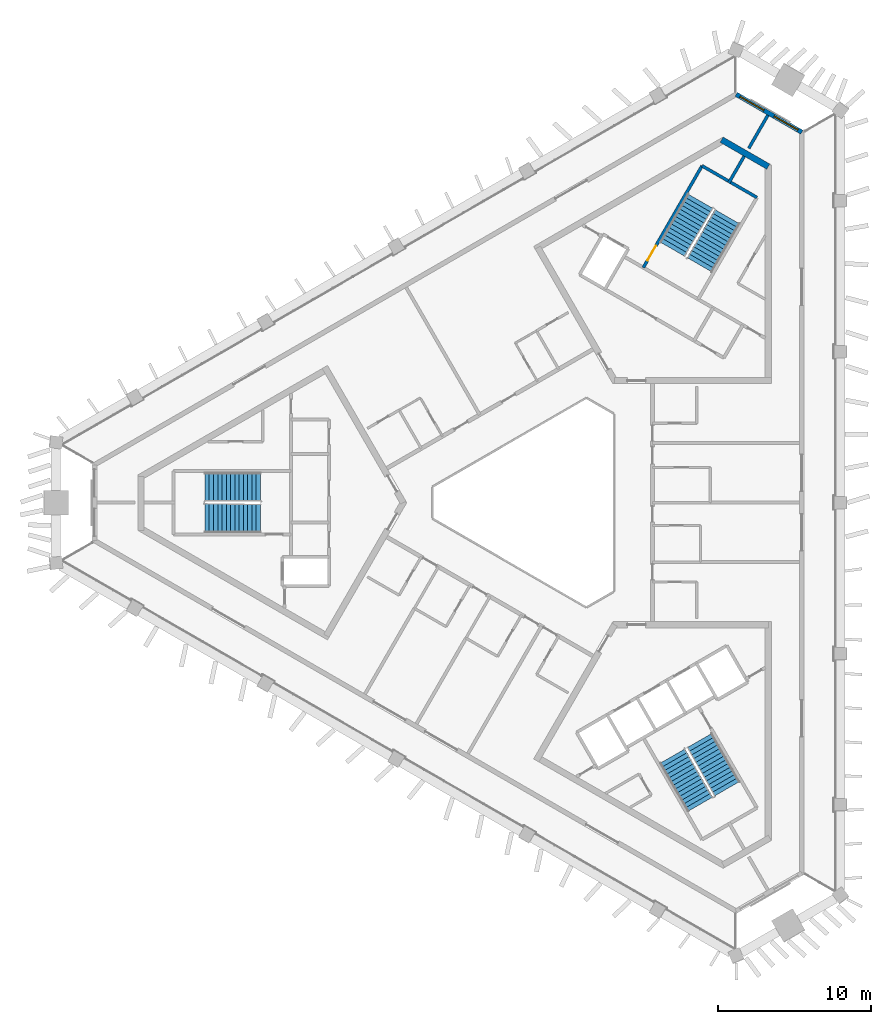
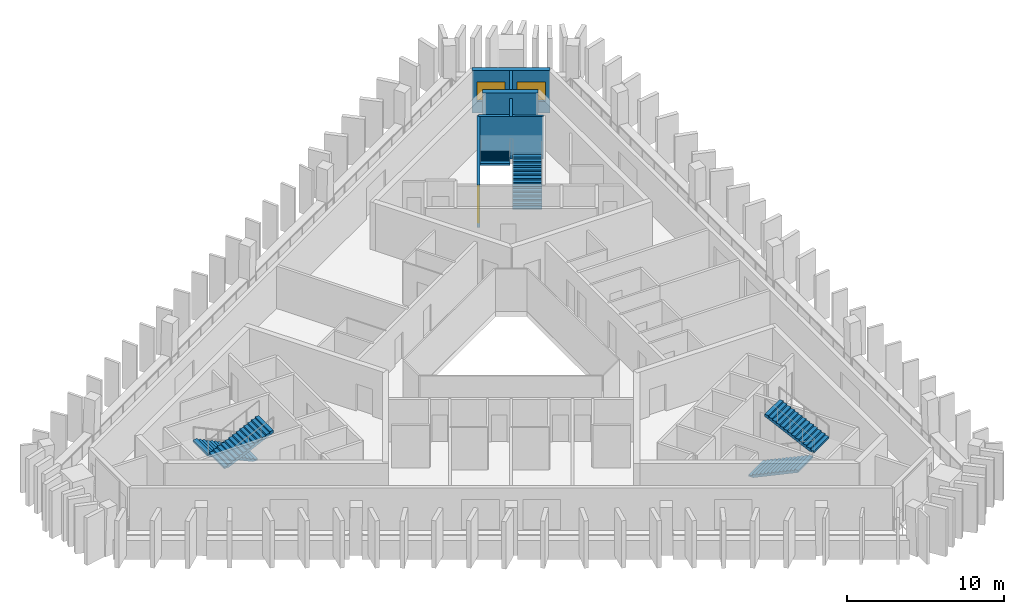
# One storey, part 6 of 9: 6 stair flights, 6 walls, 2 windows, 1 door, 3 openings, 3 elements without a shape of their own.
"""IFC4 building model written with IfcOpenShell, lengths in metres."""

from ifc_helpers import new_model, si_unit, direction, frame, frame_2d, origin, place, context, subcontext, project, spatial, polyline, rectangle, outline, extrude, material, layer, layer_set, type_object, element, fill, aggregate, save


model = new_model("IFC4")

# Units and contexts
model_context = context("Model", 3, precision=1e-05, world=origin(), true_north=direction((0.0, 1.0)))
body_context = subcontext(model_context, "Body", "Model", "MODEL_VIEW")
ifc_project = project(units=[si_unit("LENGTHUNIT", "METRE"), si_unit("AREAUNIT", "SQUARE_METRE"), si_unit("VOLUMEUNIT", "CUBIC_METRE"), si_unit("PLANEANGLEUNIT", "RADIAN"), si_unit("MASSUNIT", "GRAM", prefix="KILO")], contexts=[model_context])

# Site, building, storey
site_placement = place(None, origin())
site = spatial("IfcSite", under=ifc_project, at=site_placement, CompositionType="ELEMENT")
building_placement = place(site_placement, origin())
building = spatial("IfcBuilding", under=site, at=building_placement, Name="Jabali Bay Hotel Tower and Convention Centre", CompositionType="ELEMENT")
storey_placement = place(building_placement, frame((0.0, 0.0, 259.0)))
storey = spatial("IfcBuildingStorey", under=building, at=storey_placement, Name="L63", CompositionType="ELEMENT", Elevation=259.0)

# Wall
ifc_material_1 = material(Name="Concrete C40", Category="concrete")
ifc_layer_1 = layer(ifc_material_1, 0.199951171875)
ifc_layer_set_1 = layer_set([ifc_layer_1], Name="Concrete C40")
wall_type_1 = type_object("IfcWallType", Name="Core partition wall 200", PredefinedType="PARTITIONING", material=ifc_layer_set_1)
wall_1_placement = place(storey_placement, frame((87.090087890625, 100.9404296875, 0.0), z_axis=(0.0, 0.0, 1.0), x_axis=(0.499941815747, 0.866058993873, 0.0)))
element("IfcWall", 1, at=wall_1_placement, inside=storey, type_object=wall_type_1, Name="Core wall 1.4 L63", PredefinedType="PARTITIONING", context=body_context, shape_type="SweptSolid", body=[
    extrude(rectangle(XDim=2.023193359375, YDim=0.199951171875, at=frame_2d((1.01171875, 0.0))), origin(), (0.0, 0.0, 1.0), 3.300048828125),
])

# Wall, opening, door
ifc_layer_2 = layer(ifc_material_1, 0.199951171875)
ifc_layer_set_2 = layer_set([ifc_layer_2], Name="Concrete C40")
wall_type_2 = type_object("IfcWallType", Name="Core stair wall 200", PredefinedType="SOLIDWALL", material=ifc_layer_set_2)
wall_2_placement = place(storey_placement, frame((81.492919921875, 95.396240234375, 0.0), z_axis=(0.0, 0.0, 1.0), x_axis=(0.500006057782, 0.866021906294, 0.0)))
wall_2 = element("IfcWall", 2, at=wall_2_placement, inside=storey, type_object=wall_type_2, Name="Core wall 1.5 L63", PredefinedType="SOLIDWALL", context=body_context, shape_type="SweptSolid", body=[
    extrude(rectangle(XDim=7.7001953125, YDim=0.199951171875, at=frame_2d((3.85009765625, 0.0))), origin(), (0.0, 0.0, 1.0), 3.300048828125),
])
opening_1_placement = place(wall_2_placement, frame((0.550048828125, 0.0, 0.0)))
opening_1 = element("IfcOpeningElement", 3, at=opening_1_placement, cuts=wall_2, Name="Opening D1391", PredefinedType="OPENING", context=body_context, shape_type="SweptSolid", body=[
    extrude(rectangle(XDim=1.10009765625, YDim=2.10009765625, at=frame_2d((0.550048828125, 1.050048828125))), frame((0.0, 0.1103515625, 0.0), z_axis=(0.0, -1.0, 0.0), x_axis=(1.0, 0.0, 0.0)), (0.0, 0.0, 1.0), 0.220947265625),
])
ifc_material_2 = material(Name="Fire-rated steel door", Category="steel")
door_type = type_object("IfcDoorType", Name="Stair fire door 1100 x 2100", OperationType="NOTDEFINED", PredefinedType="NOTDEFINED", material=ifc_material_2)
door_placement = place(opening_1_placement, origin())
door = element("IfcDoor", 4, at=door_placement, inside=storey, type_object=door_type, Name="Stair fire door D1391", OperationType="SINGLE_SWING_RIGHT", OverallHeight=2.10009765625, OverallWidth=1.10009765625, PredefinedType="NOTDEFINED", context=body_context, shape_type="SweptSolid", body=[
    extrude(rectangle(XDim=1.10009765625, YDim=2.10009765625, at=frame_2d((0.550048828125, 1.050048828125))), frame((0.0, 0.02490234375, 0.0), z_axis=(0.0, -1.0, 0.0), x_axis=(1.0, 0.0, 0.0)), (0.0, 0.0, 1.0), 0.050048828125),
])
fill(opening_1, door)

# Walls
wall_3_placement = place(storey_placement, frame((88.93701171875, 99.989501953125, 0.0), z_axis=(0.0, 0.0, 1.0), x_axis=(-0.866004344652, 0.500036473714, 0.0)))
element("IfcWall", 5, at=wall_3_placement, inside=storey, type_object=wall_type_2, Name="Core wall 1.13 L63", PredefinedType="SOLIDWALL", context=body_context, shape_type="SweptSolid", body=[
    extrude(rectangle(XDim=4.150146484375, YDim=0.199951171875, at=frame_2d((2.0751953125, 0.0))), origin(), (0.0, 0.0, 1.0), 3.300048828125),
])
ifc_material_3 = material(Name="Concrete C60", Category="concrete")
ifc_layer_3 = layer(ifc_material_3, 0.39990234375)
ifc_layer_set_3 = layer_set([ifc_layer_3], Name="Concrete C60")
wall_type_3 = type_object("IfcWallType", Name="Core wall 400", PredefinedType="SHEAR", material=ifc_layer_set_3)
wall_4_placement = place(storey_placement, frame((89.679931640625, 102.01220703125, 0.0), z_axis=(0.0, 0.0, 1.0), x_axis=(-0.866025485263, 0.499999858875, 0.0)))
element("IfcWall", 6, at=wall_4_placement, inside=storey, type_object=wall_type_3, Name="Core wall 2.3 L63", PredefinedType="SHEAR", context=body_context, shape_type="SweptSolid", body=[
    extrude(rectangle(XDim=3.52978515625, YDim=0.39990234375, at=frame_2d((1.764892578125, 0.0))), origin(), (0.0, 0.0, 1.0), 3.699951171875),
])

# Wall, openings, windows
ifc_layer_4 = layer(ifc_material_1, 0.300048828125)
ifc_layer_set_4 = layer_set([ifc_layer_4], Name="Concrete C40")
wall_type_4 = type_object("IfcWallType", Name="External wall 300", PredefinedType="SOLIDWALL", material=ifc_layer_set_4)
wall_5_placement = place(storey_placement, frame((87.5771484375, 106.7490234375, 0.0), z_axis=(0.0, 0.0, 1.0), x_axis=(0.866019347691, -0.500010489315, 0.0)))
wall_5 = element("IfcWall", 7, at=wall_5_placement, inside=storey, type_object=wall_type_4, Name="External wall north-east chamfer L63", PredefinedType="SOLIDWALL", context=body_context, shape_type="SweptSolid", body=[
    extrude(rectangle(XDim=4.96484375, YDim=0.300048828125, at=frame_2d((2.482421875, 0.0))), origin(), (0.0, 0.0, 1.0), 3.300048828125),
])
opening_2_placement = place(wall_5_placement, frame((2.8662109375, 0.0, 0.89990234375)))
opening_2 = element("IfcOpeningElement", 8, at=opening_2_placement, cuts=wall_5, Name="Opening W1", PredefinedType="OPENING", context=body_context, shape_type="SweptSolid", body=[
    extrude(rectangle(XDim=1.800048828125, YDim=1.5, at=frame_2d((0.89990234375, 0.75))), frame((0.0, 0.16064453125, 0.0), z_axis=(0.0, -1.0, 0.0), x_axis=(1.0, 0.0, 0.0)), (0.0, 0.0, 1.0), 0.321044921875),
])
opening_3_placement = place(wall_5_placement, frame((0.29833984375, 0.0, 0.89990234375)))
opening_3 = element("IfcOpeningElement", 9, at=opening_3_placement, cuts=wall_5, Name="Opening W1", PredefinedType="OPENING", context=body_context, shape_type="SweptSolid", body=[
    extrude(rectangle(XDim=1.800048828125, YDim=1.5, at=frame_2d((0.89990234375, 0.75))), frame((0.0, 0.16064453125, 0.0), z_axis=(0.0, -1.0, 0.0), x_axis=(1.0, 0.0, 0.0)), (0.0, 0.0, 1.0), 0.321044921875),
])
ifc_material_4 = material(Name="Glass", Category="glass")
window_type = type_object("IfcWindowType", Name="Window 1800 x 1500", PartitioningType="SINGLE_PANEL", PredefinedType="WINDOW", material=ifc_material_4)
window_1_placement = place(opening_2_placement, origin())
window_1 = element("IfcWindow", 10, at=window_1_placement, inside=storey, type_object=window_type, Name="Window 6304", OverallHeight=1.5, OverallWidth=1.800048828125, PartitioningType="SINGLE_PANEL", PredefinedType="WINDOW", context=body_context, shape_type="SweptSolid", body=[
    extrude(rectangle(XDim=1.800048828125, YDim=1.5, at=frame_2d((0.89990234375, 0.75))), frame((0.0, 0.030029296875, 0.0), z_axis=(0.0, -1.0, 0.0), x_axis=(1.0, 0.0, 0.0)), (0.0, 0.0, 1.0), 0.06005859375),
])
fill(opening_2, window_1)
window_2_placement = place(opening_3_placement, origin())
window_2 = element("IfcWindow", 11, at=window_2_placement, inside=storey, type_object=window_type, Name="Window 6305", OverallHeight=1.5, OverallWidth=1.800048828125, PartitioningType="SINGLE_PANEL", PredefinedType="WINDOW", context=body_context, shape_type="SweptSolid", body=[
    extrude(rectangle(XDim=1.800048828125, YDim=1.5, at=frame_2d((0.89990234375, 0.75))), frame((0.0, 0.030029296875, 0.0), z_axis=(0.0, -1.0, 0.0), x_axis=(1.0, 0.0, 0.0)), (0.0, 0.0, 1.0), 0.06005859375),
])
fill(opening_3, window_2)

# Wall
ifc_material_5 = material(Name="Plasterboard on steel stud", Category="steel")
ifc_layer_5 = layer(ifc_material_5, 0.199951171875)
ifc_layer_set_5 = layer_set([ifc_layer_5], Name="Plasterboard on steel stud")
wall_type_5 = type_object("IfcWallType", Name="Partition 200 party", PredefinedType="PARTITIONING", material=ifc_layer_set_5)
wall_6_placement = place(storey_placement, frame((89.6533203125, 105.37841796875, 0.0), z_axis=(0.0, 0.0, 1.0), x_axis=(-0.499978562988, -0.866037780095, 0.0)))
element("IfcWall", 12, at=wall_6_placement, inside=storey, type_object=wall_type_5, Name="Partition P01 L63 015", PredefinedType="PARTITIONING", context=body_context, shape_type="SweptSolid", body=[
    extrude(rectangle(XDim=2.5029296875, YDim=0.199951171875, at=frame_2d((1.25146484375, 0.0))), origin(), (0.0, 0.0, 1.0), 3.300048828125),
])

# Stair, stair flights
stair_type = type_object("IfcStairType", Name="Exit stair 1900", PredefinedType="HALF_TURN_STAIR", material=ifc_material_1)
stair_1_placement = place(storey_placement, origin())
stair_1 = element("IfcStair", 13, at=stair_1_placement, inside=storey, type_object=stair_type, Name="L63 Exit Stair 1", PredefinedType="HALF_TURN_STAIR")
stair_flight_type = type_object("IfcStairFlightType", Name="Stair flight concrete 150", PredefinedType="STRAIGHT", material=ifc_material_1)
stair_flight_1_placement = place(storey_placement, frame((56.419921875, 81.02490234375, 0.0), z_axis=(0.0, 0.0, 1.0), x_axis=(-1.0, 0.0, 0.0)))
stair_flight_1 = element("IfcStairFlight", 14, at=stair_flight_1_placement, type_object=stair_flight_type, Name="ST1 flight 1", NumberOfRisers=14, NumberOfTreads=13, PredefinedType="STRAIGHT", RiserHeight=0.132142857, TreadLength=0.28, context=body_context, shape_type="SweptSolid", body=[
    extrude(outline(polyline([(0.0, 0.0), (0.0, 0.132080078125), (0.280029296875, 0.132080078125), (0.280029296875, 0.264404296875), (0.56005859375, 0.264404296875), (0.56005859375, 0.396484375), (0.840087890625, 0.396484375), (0.840087890625, 0.528564453125), (1.1201171875, 0.528564453125), (1.1201171875, 0.66064453125), (1.39990234375, 0.66064453125), (1.39990234375, 0.79296875), (1.679931640625, 0.79296875), (1.679931640625, 0.925048828125), (1.9599609375, 0.925048828125), (1.9599609375, 1.05712890625), (2.239990234375, 1.05712890625), (2.239990234375, 1.189208984375), (2.52001953125, 1.189208984375), (2.52001953125, 1.321533203125), (2.800048828125, 1.321533203125), (2.800048828125, 1.45361328125), (3.080078125, 1.45361328125), (3.080078125, 1.585693359375), (3.360107421875, 1.585693359375), (3.360107421875, 1.7177734375), (3.639892578125, 1.7177734375), (3.639892578125, 1.85009765625), (3.639892578125, 1.552001953125), (0.351318359375, 0.0), (0.0, 0.0)])), frame((0.0, 0.949951171875, 0.0), z_axis=(0.0, -1.0, 0.0), x_axis=(1.0, 0.0, 0.0)), (0.0, 0.0, 1.0), 1.89990234375),
])
stair_flight_2_placement = place(storey_placement, frame((52.780029296875, 78.97509765625, 1.85009765625), z_axis=(0.0, 0.0, 1.0), x_axis=(1.0, 0.0, 0.0)))
stair_flight_2 = element("IfcStairFlight", 15, at=stair_flight_2_placement, type_object=stair_flight_type, Name="ST1 flight 2", NumberOfRisers=14, NumberOfTreads=13, PredefinedType="STRAIGHT", RiserHeight=0.132142857, TreadLength=0.28, context=body_context, shape_type="SweptSolid", body=[
    extrude(outline(polyline([(0.0, 0.0), (0.0, 0.132080078125), (0.280029296875, 0.132080078125), (0.280029296875, 0.264404296875), (0.56005859375, 0.264404296875), (0.56005859375, 0.396484375), (0.840087890625, 0.396484375), (0.840087890625, 0.528564453125), (1.1201171875, 0.528564453125), (1.1201171875, 0.66064453125), (1.39990234375, 0.66064453125), (1.39990234375, 0.79296875), (1.679931640625, 0.79296875), (1.679931640625, 0.925048828125), (1.9599609375, 0.925048828125), (1.9599609375, 1.05712890625), (2.239990234375, 1.05712890625), (2.239990234375, 1.189208984375), (2.52001953125, 1.189208984375), (2.52001953125, 1.321533203125), (2.800048828125, 1.321533203125), (2.800048828125, 1.45361328125), (3.080078125, 1.45361328125), (3.080078125, 1.585693359375), (3.360107421875, 1.585693359375), (3.360107421875, 1.7177734375), (3.639892578125, 1.7177734375), (3.639892578125, 1.85009765625), (3.639892578125, 1.552001953125), (0.351318359375, 0.0), (0.0, 0.0)])), frame((0.0, 0.949951171875, 0.0), z_axis=(0.0, -1.0, 0.0), x_axis=(1.0, 0.0, 0.0)), (0.0, 0.0, 1.0), 1.89990234375),
])
aggregate(stair_1, [stair_flight_1, stair_flight_2])

stair_2_placement = place(storey_placement, origin())
stair_2 = element("IfcStair", 16, at=stair_2_placement, inside=storey, type_object=stair_type, Name="L63 Exit Stair 2", PredefinedType="HALF_TURN_STAIR")
stair_flight_3_placement = place(storey_placement, frame((85.177734375, 95.578369140625, 0.0), z_axis=(0.0, 0.0, 1.0), x_axis=(0.5, 0.866025403784, 0.0)))
stair_flight_3 = element("IfcStairFlight", 17, at=stair_flight_3_placement, type_object=stair_flight_type, Name="ST2 flight 1", NumberOfRisers=14, NumberOfTreads=13, PredefinedType="STRAIGHT", RiserHeight=0.132142857, TreadLength=0.28, context=body_context, shape_type="SweptSolid", body=[
    extrude(outline(polyline([(0.0, 0.0), (0.0, 0.132080078125), (0.280029296875, 0.132080078125), (0.280029296875, 0.264404296875), (0.56005859375, 0.264404296875), (0.56005859375, 0.396484375), (0.840087890625, 0.396484375), (0.840087890625, 0.528564453125), (1.1201171875, 0.528564453125), (1.1201171875, 0.66064453125), (1.39990234375, 0.66064453125), (1.39990234375, 0.79296875), (1.679931640625, 0.79296875), (1.679931640625, 0.925048828125), (1.9599609375, 0.925048828125), (1.9599609375, 1.05712890625), (2.239990234375, 1.05712890625), (2.239990234375, 1.189208984375), (2.52001953125, 1.189208984375), (2.52001953125, 1.321533203125), (2.800048828125, 1.321533203125), (2.800048828125, 1.45361328125), (3.080078125, 1.45361328125), (3.080078125, 1.585693359375), (3.360107421875, 1.585693359375), (3.360107421875, 1.7177734375), (3.639892578125, 1.7177734375), (3.639892578125, 1.85009765625), (3.639892578125, 1.552001953125), (0.351318359375, 0.0), (0.0, 0.0)])), frame((0.0, 0.949951171875, 0.0), z_axis=(0.0, -1.0, 0.0), x_axis=(1.0, 0.0, 0.0)), (0.0, 0.0, 1.0), 1.89990234375),
])
stair_flight_4_placement = place(storey_placement, frame((85.222412109375, 99.755615234375, 1.85009765625), z_axis=(0.0, 0.0, 1.0), x_axis=(-0.5, -0.866025403784, 0.0)))
stair_flight_4 = element("IfcStairFlight", 18, at=stair_flight_4_placement, type_object=stair_flight_type, Name="ST2 flight 2", NumberOfRisers=14, NumberOfTreads=13, PredefinedType="STRAIGHT", RiserHeight=0.132142857, TreadLength=0.28, context=body_context, shape_type="SweptSolid", body=[
    extrude(outline(polyline([(0.0, 0.0), (0.0, 0.132080078125), (0.280029296875, 0.132080078125), (0.280029296875, 0.264404296875), (0.56005859375, 0.264404296875), (0.56005859375, 0.396484375), (0.840087890625, 0.396484375), (0.840087890625, 0.528564453125), (1.1201171875, 0.528564453125), (1.1201171875, 0.66064453125), (1.39990234375, 0.66064453125), (1.39990234375, 0.79296875), (1.679931640625, 0.79296875), (1.679931640625, 0.925048828125), (1.9599609375, 0.925048828125), (1.9599609375, 1.05712890625), (2.239990234375, 1.05712890625), (2.239990234375, 1.189208984375), (2.52001953125, 1.189208984375), (2.52001953125, 1.321533203125), (2.800048828125, 1.321533203125), (2.800048828125, 1.45361328125), (3.080078125, 1.45361328125), (3.080078125, 1.585693359375), (3.360107421875, 1.585693359375), (3.360107421875, 1.7177734375), (3.639892578125, 1.7177734375), (3.639892578125, 1.85009765625), (3.639892578125, 1.552001953125), (0.351318359375, 0.0), (0.0, 0.0)])), frame((0.0, 0.949951171875, 0.0), z_axis=(0.0, -1.0, 0.0), x_axis=(1.0, 0.0, 0.0)), (0.0, 0.0, 1.0), 1.89990234375),
])
aggregate(stair_2, [stair_flight_3, stair_flight_4])

stair_3_placement = place(storey_placement, origin())
stair_3 = element("IfcStair", 19, at=stair_3_placement, inside=storey, type_object=stair_type, Name="L63 Exit Stair 3", PredefinedType="HALF_TURN_STAIR")
stair_flight_5_placement = place(storey_placement, frame((83.40234375, 63.396728515625, 0.0), z_axis=(0.0, 0.0, 1.0), x_axis=(0.5, -0.866025403784, 0.0)))
stair_flight_5 = element("IfcStairFlight", 20, at=stair_flight_5_placement, type_object=stair_flight_type, Name="ST3 flight 1", NumberOfRisers=14, NumberOfTreads=13, PredefinedType="STRAIGHT", RiserHeight=0.132142857, TreadLength=0.28, context=body_context, shape_type="SweptSolid", body=[
    extrude(outline(polyline([(0.0, 0.0), (0.0, 0.132080078125), (0.280029296875, 0.132080078125), (0.280029296875, 0.264404296875), (0.56005859375, 0.264404296875), (0.56005859375, 0.396484375), (0.840087890625, 0.396484375), (0.840087890625, 0.528564453125), (1.1201171875, 0.528564453125), (1.1201171875, 0.66064453125), (1.39990234375, 0.66064453125), (1.39990234375, 0.79296875), (1.679931640625, 0.79296875), (1.679931640625, 0.925048828125), (1.9599609375, 0.925048828125), (1.9599609375, 1.05712890625), (2.239990234375, 1.05712890625), (2.239990234375, 1.189208984375), (2.52001953125, 1.189208984375), (2.52001953125, 1.321533203125), (2.800048828125, 1.321533203125), (2.800048828125, 1.45361328125), (3.080078125, 1.45361328125), (3.080078125, 1.585693359375), (3.360107421875, 1.585693359375), (3.360107421875, 1.7177734375), (3.639892578125, 1.7177734375), (3.639892578125, 1.85009765625), (3.639892578125, 1.552001953125), (0.351318359375, 0.0), (0.0, 0.0)])), frame((0.0, 0.949951171875, 0.0), z_axis=(0.0, -1.0, 0.0), x_axis=(1.0, 0.0, 0.0)), (0.0, 0.0, 1.0), 1.89990234375),
])
stair_flight_6_placement = place(storey_placement, frame((86.99755859375, 61.26953125, 1.85009765625), z_axis=(0.0, 0.0, 1.0), x_axis=(-0.5, 0.866025403784, 0.0)))
stair_flight_6 = element("IfcStairFlight", 21, at=stair_flight_6_placement, type_object=stair_flight_type, Name="ST3 flight 2", NumberOfRisers=14, NumberOfTreads=13, PredefinedType="STRAIGHT", RiserHeight=0.132142857, TreadLength=0.28, context=body_context, shape_type="SweptSolid", body=[
    extrude(outline(polyline([(0.0, 0.0), (0.0, 0.132080078125), (0.280029296875, 0.132080078125), (0.280029296875, 0.264404296875), (0.56005859375, 0.264404296875), (0.56005859375, 0.396484375), (0.840087890625, 0.396484375), (0.840087890625, 0.528564453125), (1.1201171875, 0.528564453125), (1.1201171875, 0.66064453125), (1.39990234375, 0.66064453125), (1.39990234375, 0.79296875), (1.679931640625, 0.79296875), (1.679931640625, 0.925048828125), (1.9599609375, 0.925048828125), (1.9599609375, 1.05712890625), (2.239990234375, 1.05712890625), (2.239990234375, 1.189208984375), (2.52001953125, 1.189208984375), (2.52001953125, 1.321533203125), (2.800048828125, 1.321533203125), (2.800048828125, 1.45361328125), (3.080078125, 1.45361328125), (3.080078125, 1.585693359375), (3.360107421875, 1.585693359375), (3.360107421875, 1.7177734375), (3.639892578125, 1.7177734375), (3.639892578125, 1.85009765625), (3.639892578125, 1.552001953125), (0.351318359375, 0.0), (0.0, 0.0)])), frame((0.0, 0.949951171875, 0.0), z_axis=(0.0, -1.0, 0.0), x_axis=(1.0, 0.0, 0.0)), (0.0, 0.0, 1.0), 1.89990234375),
])
aggregate(stair_3, [stair_flight_5, stair_flight_6])

save(model, "model.ifc")
